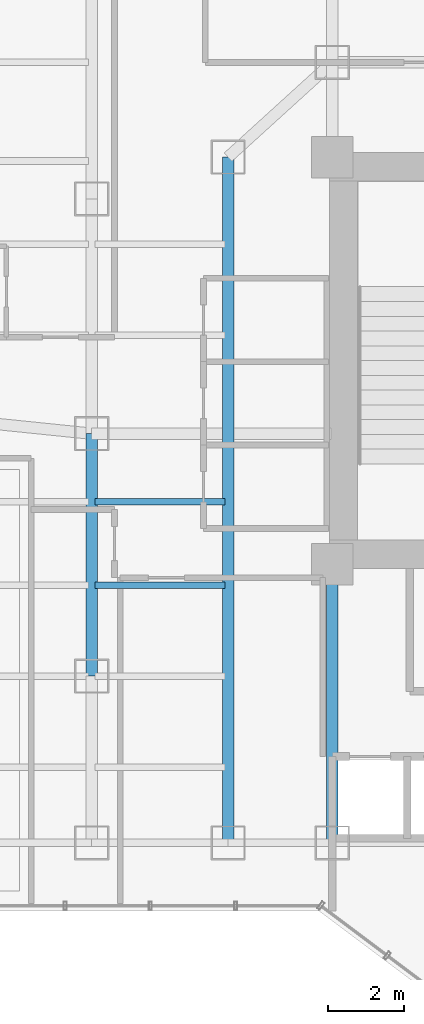
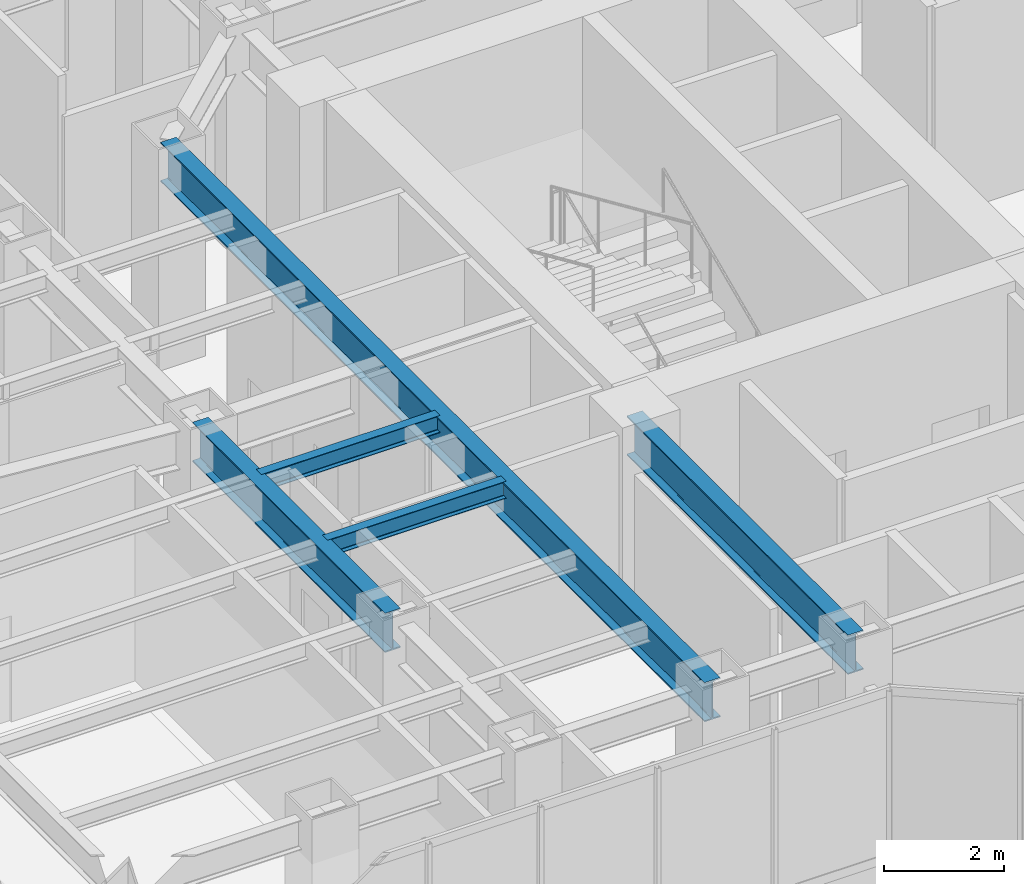
# One storey, part 4 of 27: 5 beams.
"""IFC4 building model written with IfcOpenShell, lengths in metres."""

import ifcopenshell
import ifcopenshell.guid

model = None  # the IFC model being written
_history = None  # IfcOwnerHistory: only IFC2X3 demands one
_inside = {}  # id of a spatial element -> (the spatial element, [elements in it])
_under = {}  # id of a project, library or spatial element -> (it, [spatial elements below it])
_declared = {}  # id of a project -> (the project, [libraries it declares])
_typed = {}  # id of a type object -> (the type object, [elements of that type])
_made_of = {}  # id of a material, layer set ... -> (it, [elements and type objects made of it])


def new_model(schema):
    """Start an empty IFC model of exactly this schema.

    Asked for "IFC4X3", IfcOpenShell would pick the latest addendum, in which some entities
    have other attributes; the version numbers below select the first issue.
    IFC2X3 requires an IfcOwnerHistory on every rooted entity: one is made here for all.
    """
    global model, _history
    if schema == "IFC4X3":
        model = ifcopenshell.file(schema_version=(4, 3, 0, 0))
    else:
        model = ifcopenshell.file(schema=schema)
    _inside.clear()
    _under.clear()
    _declared.clear()
    _typed.clear()
    _made_of.clear()
    _history = None
    if model.schema == "IFC2X3":
        org = make("IfcOrganization", Name="unknown")
        user = make(
            "IfcPersonAndOrganization",
            ThePerson=make("IfcPerson", FamilyName="unknown"),
            TheOrganization=org,
        )
        app = make(
            "IfcApplication",
            ApplicationDeveloper=org,
            Version="unknown",
            ApplicationFullName="unknown",
            ApplicationIdentifier="unknown",
        )
        _history = make(
            "IfcOwnerHistory",
            OwningUser=user,
            OwningApplication=app,
            ChangeAction="ADDED",
            CreationDate=0,
        )
    return model


def make(cls, **values):
    """One entity of the class cls with the attributes given. An attribute that is None is left unset."""
    return model.create_entity(
        cls, **{name: value for name, value in values.items() if value is not None}
    )


def rooted(cls, **values):
    """An entity with a GlobalId (a new one), such as an element, a storey or a relation."""
    return make(cls, GlobalId=ifcopenshell.guid.new(), OwnerHistory=_history, **values)


def si_unit(unit_type, name, prefix=None):
    """IfcSIUnit, for example si_unit("LENGTHUNIT", "METRE", prefix="MILLI")."""
    return make("IfcSIUnit", UnitType=unit_type, Prefix=prefix, Name=name)


def assignment(units):
    """IfcUnitAssignment: the units of a project."""
    return None if units is None else make("IfcUnitAssignment", Units=units)


def point(xyz):
    """IfcCartesianPoint."""
    return None if xyz is None else make("IfcCartesianPoint", Coordinates=xyz)


def direction(xyz):
    """IfcDirection."""
    return None if xyz is None else make("IfcDirection", DirectionRatios=xyz)


def frame(location, z_axis=None, x_axis=None):
    """IfcAxis2Placement3D, a coordinate frame: its origin and axes. An axis left out is left unset."""
    return make(
        "IfcAxis2Placement3D",
        Location=point(location),
        Axis=direction(z_axis),
        RefDirection=direction(x_axis),
    )


def frame_2d(location, x_axis=None):
    """IfcAxis2Placement2D, a coordinate frame in the plane: its origin and x axis."""
    return make(
        "IfcAxis2Placement2D", Location=point(location), RefDirection=direction(x_axis)
    )


def origin():
    """The frame at (0, 0, 0) with its axes left unset."""
    return frame((0.0, 0.0, 0.0))


def origin_2d():
    """The frame at (0, 0) in the plane with its x axis left unset."""
    return frame_2d((0.0, 0.0))


def place(relative_to, where):
    """IfcLocalPlacement: puts the frame where relative to a parent placement (None: the world)."""
    return make(
        "IfcLocalPlacement", PlacementRelTo=relative_to, RelativePlacement=where
    )


def context(
    kind, dimensions, precision=None, world=None, true_north=None, identifier=None
):
    """IfcGeometricRepresentationContext, for example the 3D "Model" context."""
    return make(
        "IfcGeometricRepresentationContext",
        ContextIdentifier=identifier,
        ContextType=kind,
        CoordinateSpaceDimension=dimensions,
        Precision=precision,
        WorldCoordinateSystem=world,
        TrueNorth=true_north,
    )


def subcontext(parent, identifier, kind, view, scale=None):
    """IfcGeometricRepresentationSubContext, for example "Body" below "Model"."""
    return make(
        "IfcGeometricRepresentationSubContext",
        ContextIdentifier=identifier,
        ContextType=kind,
        ParentContext=parent,
        TargetScale=scale,
        TargetView=view,
    )


def project(units=None, contexts=None):
    """IfcProject with its units and contexts."""
    return rooted(
        "IfcProject",
        Name="project",
        RepresentationContexts=contexts,
        UnitsInContext=assignment(units),
    )


def spatial(cls, under=None, at=None, **own):
    """A site, building, storey or space (cls), placed at a placement, below another one or the project."""
    s = rooted(cls, ObjectPlacement=at, **own)
    if under is not None:
        _under.setdefault(under.id(), (under, []))[1].append(s)
    return s


def profile(cls, at=None, kind="AREA", **sizes):
    """A parametric profile (cls). Its sizes go by their IFC names, for example OverallWidth=200.0."""
    return make(cls, ProfileType=kind, Position=at, **sizes)


def i_section(**sizes):
    """IfcIShapeProfileDef."""
    return profile("IfcIShapeProfileDef", **sizes)


def extrude(swept, where, along, depth):
    """IfcExtrudedAreaSolid: the profile swept, set in the frame where, extruded along a direction by depth."""
    return make(
        "IfcExtrudedAreaSolid",
        SweptArea=swept,
        Position=where,
        ExtrudedDirection=direction(along),
        Depth=depth,
    )


def shape(context_of_items, identifier, shape_type, items):
    """IfcShapeRepresentation: the items that make up one representation, for example the "Body"."""
    return make(
        "IfcShapeRepresentation",
        ContextOfItems=context_of_items,
        RepresentationIdentifier=identifier,
        RepresentationType=shape_type,
        Items=items,
    )


def material(Name=None, Category=None):
    """IfcMaterial."""
    return make("IfcMaterial", Name=Name, Category=Category)


def material_profile(
    of_material, cross_section, Name=None, Category=None, Priority=None
):
    """IfcMaterialProfile: a cross section and its material."""
    return make(
        "IfcMaterialProfile",
        Name=Name,
        Material=of_material,
        Profile=cross_section,
        Priority=Priority,
        Category=Category,
    )


def profile_set(profiles, Name=None, composite=None):
    """IfcMaterialProfileSet."""
    return make(
        "IfcMaterialProfileSet",
        Name=Name,
        MaterialProfiles=profiles,
        CompositeProfile=composite,
    )


def made_of(thing, what):
    """Note that an element or type object is made of a material, layer set ...; save() writes the relation."""
    if what is not None:
        _made_of.setdefault(what.id(), (what, []))[1].append(thing)
    return thing


def type_object(cls, material=None, **own):
    """A type object (cls), such as IfcWallType, which elements share."""
    return made_of(rooted(cls, **own), material)


def element(
    cls,
    number,
    at=None,
    inside=None,
    cuts=None,
    type_object=None,
    material=None,
    context=None,
    identifier="Body",
    shape_type=None,
    held_by="IfcProductDefinitionShape",
    body=None,
    shapes=None,
    **own,
):
    """One element of the class cls, such as IfcWall. Its Tag is "e" and its number.

    at: its placement. inside: the storey or other place that contains it. cuts: it is an
    opening in that element (IfcRelVoidsElement). A single representation is given by context,
    identifier, shape_type and body (its items); several are given by shapes. held_by: the class
    of the entity that holds the representations. save() writes the other relations.
    """
    e = rooted(cls, Tag="e%d" % number, ObjectPlacement=at, **own)
    if body is not None:
        shapes = [shape(context, identifier, shape_type, body)]
    if shapes is not None:
        e.Representation = make(held_by, Representations=shapes)
    if inside is not None:
        _inside.setdefault(inside.id(), (inside, []))[1].append(e)
    if cuts is not None:
        rooted(
            "IfcRelVoidsElement", RelatingBuildingElement=cuts, RelatedOpeningElement=e
        )
    if type_object is not None:
        _typed.setdefault(type_object.id(), (type_object, []))[1].append(e)
    return made_of(e, material)


def aggregate(whole, parts):
    """IfcRelAggregates: a whole, such as a stair, and the parts it consists of."""
    return rooted("IfcRelAggregates", RelatingObject=whole, RelatedObjects=parts)


def save(model, path):
    """Write the relations noted so far, then the file.

    IfcRelAggregates (storeys below a building ...), IfcRelContainedInSpatialStructure (elements
    in a storey), IfcRelDefinesByType, IfcRelAssociatesMaterial and IfcRelDeclares: one each for
    every whole, place, type object, material and project.
    """
    for whole, parts in _under.values():
        aggregate(whole, parts)
    for where, things in _inside.values():
        rooted(
            "IfcRelContainedInSpatialStructure",
            RelatedElements=things,
            RelatingStructure=where,
        )
    for kind, things in _typed.values():
        rooted("IfcRelDefinesByType", RelatedObjects=things, RelatingType=kind)
    for what, things in _made_of.values():
        rooted("IfcRelAssociatesMaterial", RelatedObjects=things, RelatingMaterial=what)
    for by, libraries in _declared.values():
        rooted("IfcRelDeclares", RelatingContext=by, RelatedDefinitions=libraries)
    model.write(path)


model = new_model("IFC4")

# Units and contexts
model_context = context("Model", 3, precision=1e-05, world=origin(), true_north=direction((0.0, 1.0)))
body_context = subcontext(model_context, "Body", "Model", "MODEL_VIEW")
ifc_project = project(units=[si_unit("LENGTHUNIT", "METRE"), si_unit("AREAUNIT", "SQUARE_METRE"), si_unit("VOLUMEUNIT", "CUBIC_METRE"), si_unit("PLANEANGLEUNIT", "RADIAN"), si_unit("MASSUNIT", "GRAM", prefix="KILO")], contexts=[model_context])

# Site, building, storey
site_placement = place(None, origin())
site = spatial("IfcSite", under=ifc_project, at=site_placement, CompositionType="ELEMENT")
building_placement = place(site_placement, origin())
building = spatial("IfcBuilding", under=site, at=building_placement, Name="Hatsunagi Terrace Concourse", CompositionType="ELEMENT")
storey_placement = place(building_placement, frame((0.0, 0.0, 70.10009765625)))
storey = spatial("IfcBuildingStorey", under=building, at=storey_placement, Name="L18", CompositionType="ELEMENT", Elevation=70.10009765625)

# Beams
ifc_material_1 = material(Name="Steel SN490B", Category="steel")
ifc_material_profile_1 = material_profile(ifc_material_1, i_section(OverallWidth=0.175048828125, OverallDepth=0.35009765625, WebThickness=0.007080078125, FlangeThickness=0.010986328125, FilletRadius=0.012939453125, at=origin_2d()), Name="H-350x175x7x11")
ifc_profile_set_1 = profile_set([ifc_material_profile_1], Name="Steel SN490B")
beam_type_1 = type_object("IfcBeamType", Name="HotelJoist_H_350x175", PredefinedType="JOIST", material=ifc_profile_set_1)
for number, where, z_axis, x_axis, name in (
    (1, (19.284912109375, 32.0, 4.10498046875), (1.0, 0.0, 0.0), (0.0, 1.0, 0.0), "Beam J-02 J-L18-W-19-320"),
    (2, (19.284912109375, 34.199951171875, 4.10498046875), (1.0, 0.0, 0.0), (0.0, 1.0, 0.0), "Beam J-02 J-L18-W-19-342"),
):
    element("IfcBeam", number, at=place(storey_placement, frame(where, z_axis=z_axis, x_axis=x_axis)), inside=storey, type_object=beam_type_1, Name=name, PredefinedType="JOIST", context=body_context, shape_type="SweptSolid", body=[
        extrude(i_section(OverallWidth=0.175048828125, OverallDepth=0.35009765625, WebThickness=0.007080078125, FlangeThickness=0.010986328125, FilletRadius=0.012939453125, at=origin_2d()), origin(), (0.0, 0.0, 1.0), 3.43017578125),
    ])
ifc_material_2 = material(Name="Steel SN490B", Category="steel")
ifc_material_profile_2 = material_profile(ifc_material_2, i_section(OverallWidth=0.300048828125, OverallDepth=0.800048828125, WebThickness=0.013916015625, FlangeThickness=0.02587890625, FilletRadius=0.02197265625, at=origin_2d()), Name="H-800x300x14x26")
ifc_profile_set_2 = profile_set([ifc_material_profile_2], Name="Steel SN490B")
beam_type_2 = type_object("IfcBeamType", Name="SkyLobbyGirder_H_800x300", PredefinedType="BEAM", material=ifc_profile_set_2)
beam_1_placement = place(storey_placement, frame((25.550048828125, 25.199951171875, 3.8798828125), z_axis=(0.0, 1.0, 0.0), x_axis=(-1.0, 0.0, 0.0)))
element("IfcBeam", 3, at=beam_1_placement, inside=storey, type_object=beam_type_2, Name="Beam G-03 BM-L18-K1CA", PredefinedType="BEAM", context=body_context, shape_type="SweptSolid", body=[
    extrude(i_section(OverallWidth=0.300048828125, OverallDepth=0.800048828125, WebThickness=0.013916015625, FlangeThickness=0.02587890625, FilletRadius=0.02197265625, at=origin_2d()), origin(), (0.0, 0.0, 1.0), 7.35009765625),
])
beam_2_placement = place(storey_placement, frame((22.800048828125, 25.199951171875, 3.8798828125), z_axis=(0.0, 1.0, 0.0), x_axis=(-1.0, 0.0, 0.0)))
element("IfcBeam", 4, at=beam_2_placement, inside=storey, type_object=beam_type_2, Name="Beam G-03 BM-L18-CWNS", PredefinedType="BEAM", context=body_context, shape_type="SweptSolid", body=[
    extrude(i_section(OverallWidth=0.300048828125, OverallDepth=0.800048828125, WebThickness=0.013916015625, FlangeThickness=0.02587890625, FilletRadius=0.02197265625, at=origin_2d()), origin(), (0.0, 0.0, 1.0), 18.10009765625),
])
beam_3_placement = place(storey_placement, frame((19.199951171875, 29.60009765625, 3.8798828125), z_axis=(0.0, 1.0, 0.0), x_axis=(-1.0, 0.0, 0.0)))
element("IfcBeam", 5, at=beam_3_placement, inside=storey, type_object=beam_type_2, Name="Beam G-03 BM-L18-NS-19-29", PredefinedType="BEAM", context=body_context, shape_type="SweptSolid", body=[
    extrude(i_section(OverallWidth=0.300048828125, OverallDepth=0.800048828125, WebThickness=0.013916015625, FlangeThickness=0.02587890625, FilletRadius=0.02197265625, at=origin_2d()), origin(), (0.0, 0.0, 1.0), 6.39990234375),
])

save(model, "model.ifc")
